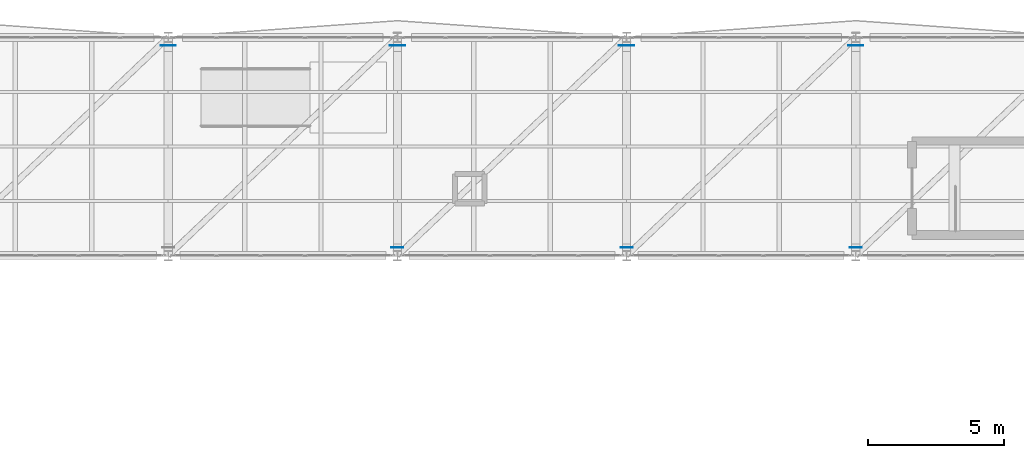
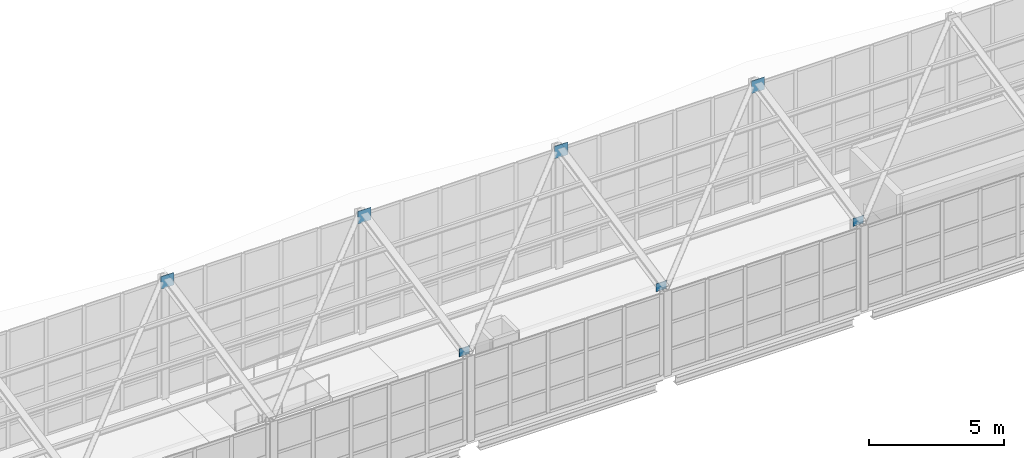
# One storey, part 145 of 177: 7 plates.
"""IFC4 building model written with IfcOpenShell, lengths in metres."""

from ifc_helpers import new_model, si_unit, direction, frame, origin, origin_2d, place, context, subcontext, project, spatial, rectangle, extrude, material, layer, layer_set, type_object, element, save


model = new_model("IFC4")

# Units and contexts
model_context = context("Model", 3, precision=1e-05, world=origin(), true_north=direction((0.0, 1.0)))
body_context = subcontext(model_context, "Body", "Model", "MODEL_VIEW")
ifc_project = project(units=[si_unit("LENGTHUNIT", "METRE"), si_unit("AREAUNIT", "SQUARE_METRE"), si_unit("VOLUMEUNIT", "CUBIC_METRE"), si_unit("PLANEANGLEUNIT", "RADIAN"), si_unit("MASSUNIT", "GRAM", prefix="KILO"), si_unit("THERMODYNAMICTEMPERATUREUNIT", "KELVIN"), si_unit("POWERUNIT", "WATT")], contexts=[model_context])

# Site, building, storey
site_placement = place(None, origin())
site = spatial("IfcSite", under=ifc_project, at=site_placement, CompositionType="ELEMENT")
building_placement = place(site_placement, origin())
building = spatial("IfcBuilding", under=site, at=building_placement, Name="Mavoryth Pier Ferry Terminal", CompositionType="ELEMENT")
storey_placement = place(building_placement, frame((0.0, 0.0, 5.43994140625)))
storey = spatial("IfcBuildingStorey", under=building, at=storey_placement, Name="L01", CompositionType="ELEMENT", Elevation=5.43994140625)

# Plates
ifc_material = material(Name="Steel S355J2", Category="steel")
ifc_layer_1 = layer(ifc_material, 0.02392578125, Name="Steel S355J2", Category="steel")
ifc_layer_set_1 = layer_set([ifc_layer_1], Name="Steel S355J2 - Plate-BaseSeat-560x560x24")
plate_type_1 = type_object("IfcPlateType", Name="Plate-BaseSeat-560x560x24", PredefinedType="SHEET", material=ifc_layer_set_1)
for number, where, z_axis, x_axis, name in (
    (1, (100.800048828125, 113.699951171875, 5.118896484375), (0.0, 0.0, 1.0), (1.0, 0.0, 0.0), "Steel Node Plate PL-L01-0060"),
    (2, (109.199951171875, 113.699951171875, 5.118896484375), (0.0, 0.0, 1.0), (1.0, 0.0, 0.0), "Steel Node Plate PL-L01-0062"),
    (3, (117.60009765625, 113.699951171875, 5.118896484375), (0.0, 0.0, 1.0), (1.0, 0.0, 0.0), "Steel Node Plate PL-L01-0064"),
    (4, (126.0, 113.699951171875, 5.118896484375), (0.0, 0.0, 1.0), (1.0, 0.0, 0.0), "Steel Node Plate PL-L01-0066"),
):
    element("IfcPlate", number, at=place(storey_placement, frame(where, z_axis=z_axis, x_axis=x_axis)), inside=storey, type_object=plate_type_1, Name=name, PredefinedType="SHEET", context=body_context, shape_type="SweptSolid", body=[
        extrude(rectangle(XDim=0.56005859375, YDim=0.02392578125, at=origin_2d()), origin(), (0.0, 0.0, 1.0), 0.56005859375),
    ])
ifc_layer_2 = layer(ifc_material, 0.01611328125, Name="Steel S355J2", Category="steel")
ifc_layer_set_2 = layer_set([ifc_layer_2], Name="Steel S355J2 - Plate-Gusset-440x360x16")
plate_type_2 = type_object("IfcPlateType", Name="Plate-Gusset-440x360x16", PredefinedType="SHEET", material=ifc_layer_set_2)
for number, where, z_axis, x_axis, name in (
    (5, (109.199951171875, 106.300048828125, 3.59130859375), (0.0, 0.0, 1.0), (1.0, 0.0, 0.0), "Steel Node Plate PL-L01-0061"),
    (6, (117.60009765625, 106.300048828125, 3.59130859375), (0.0, 0.0, 1.0), (1.0, 0.0, 0.0), "Steel Node Plate PL-L01-0063"),
    (7, (126.0, 106.300048828125, 3.59130859375), (0.0, 0.0, 1.0), (1.0, 0.0, 0.0), "Steel Node Plate PL-L01-0065"),
):
    element("IfcPlate", number, at=place(storey_placement, frame(where, z_axis=z_axis, x_axis=x_axis)), inside=storey, type_object=plate_type_2, Name=name, PredefinedType="SHEET", context=body_context, shape_type="SweptSolid", body=[
        extrude(rectangle(XDim=0.43994140625, YDim=0.01611328125, at=origin_2d()), origin(), (0.0, 0.0, 1.0), 0.360107421875),
    ])

save(model, "model.ifc")
